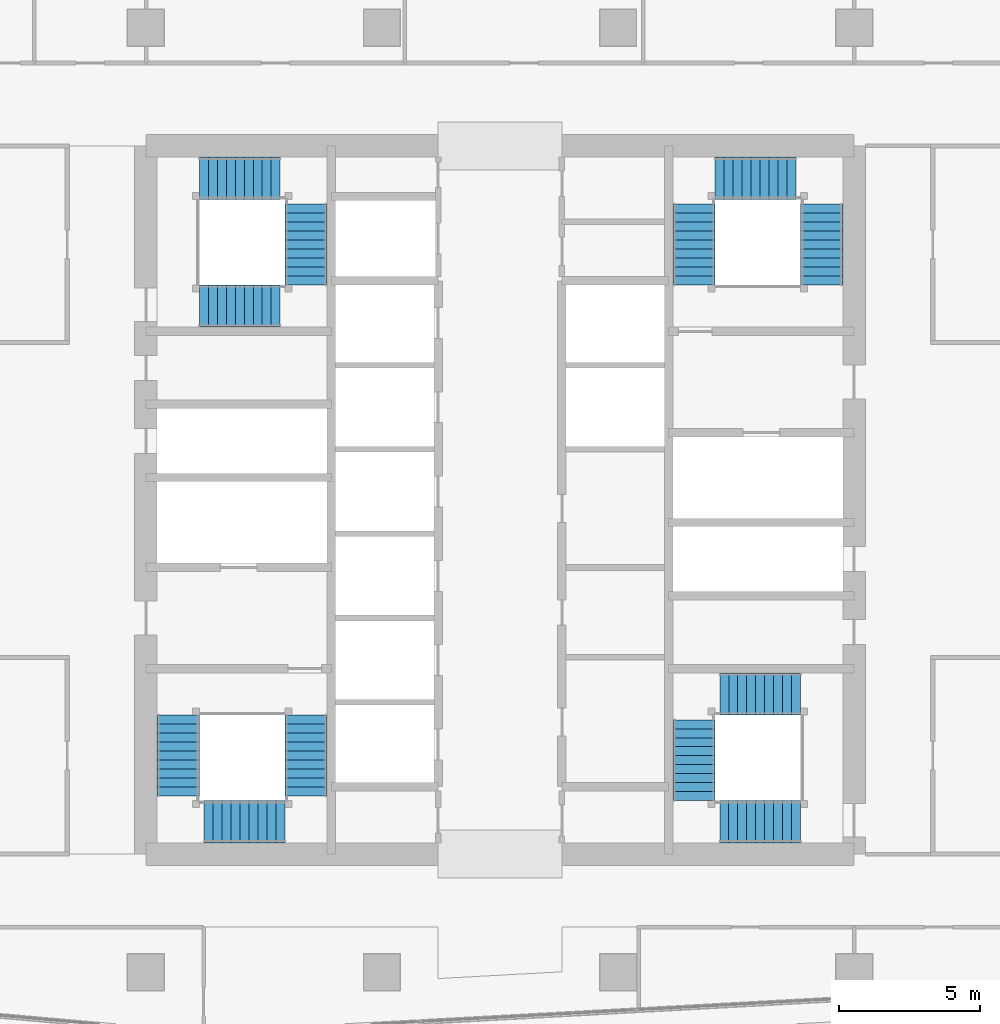
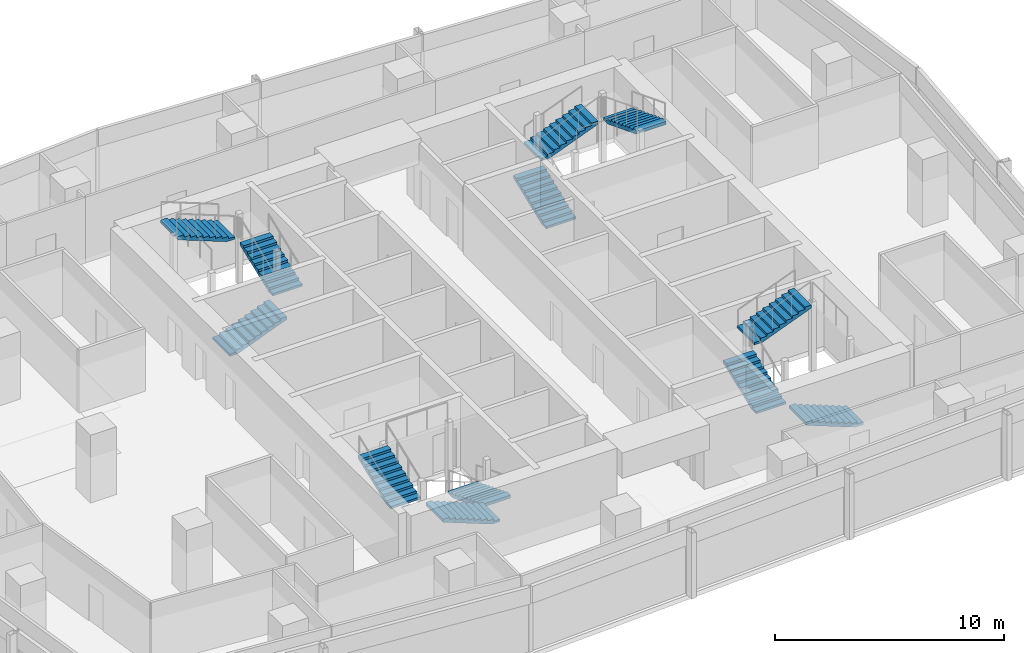
# One storey, part 25 of 29: 12 stair flights, 4 elements without a shape of their own.
"""IFC4 building model written with IfcOpenShell, lengths in metres."""

import ifcopenshell
import ifcopenshell.guid

model = None  # the IFC model being written
_history = None  # IfcOwnerHistory: only IFC2X3 demands one
_inside = {}  # id of a spatial element -> (the spatial element, [elements in it])
_under = {}  # id of a project, library or spatial element -> (it, [spatial elements below it])
_declared = {}  # id of a project -> (the project, [libraries it declares])
_typed = {}  # id of a type object -> (the type object, [elements of that type])
_made_of = {}  # id of a material, layer set ... -> (it, [elements and type objects made of it])


def new_model(schema):
    """Start an empty IFC model of exactly this schema.

    Asked for "IFC4X3", IfcOpenShell would pick the latest addendum, in which some entities
    have other attributes; the version numbers below select the first issue.
    IFC2X3 requires an IfcOwnerHistory on every rooted entity: one is made here for all.
    """
    global model, _history
    if schema == "IFC4X3":
        model = ifcopenshell.file(schema_version=(4, 3, 0, 0))
    else:
        model = ifcopenshell.file(schema=schema)
    _inside.clear()
    _under.clear()
    _declared.clear()
    _typed.clear()
    _made_of.clear()
    _history = None
    if model.schema == "IFC2X3":
        org = make("IfcOrganization", Name="unknown")
        user = make(
            "IfcPersonAndOrganization",
            ThePerson=make("IfcPerson", FamilyName="unknown"),
            TheOrganization=org,
        )
        app = make(
            "IfcApplication",
            ApplicationDeveloper=org,
            Version="unknown",
            ApplicationFullName="unknown",
            ApplicationIdentifier="unknown",
        )
        _history = make(
            "IfcOwnerHistory",
            OwningUser=user,
            OwningApplication=app,
            ChangeAction="ADDED",
            CreationDate=0,
        )
    return model


def make(cls, **values):
    """One entity of the class cls with the attributes given. An attribute that is None is left unset."""
    return model.create_entity(
        cls, **{name: value for name, value in values.items() if value is not None}
    )


def rooted(cls, **values):
    """An entity with a GlobalId (a new one), such as an element, a storey or a relation."""
    return make(cls, GlobalId=ifcopenshell.guid.new(), OwnerHistory=_history, **values)


def si_unit(unit_type, name, prefix=None):
    """IfcSIUnit, for example si_unit("LENGTHUNIT", "METRE", prefix="MILLI")."""
    return make("IfcSIUnit", UnitType=unit_type, Prefix=prefix, Name=name)


def assignment(units):
    """IfcUnitAssignment: the units of a project."""
    return None if units is None else make("IfcUnitAssignment", Units=units)


def point(xyz):
    """IfcCartesianPoint."""
    return None if xyz is None else make("IfcCartesianPoint", Coordinates=xyz)


def direction(xyz):
    """IfcDirection."""
    return None if xyz is None else make("IfcDirection", DirectionRatios=xyz)


def frame(location, z_axis=None, x_axis=None):
    """IfcAxis2Placement3D, a coordinate frame: its origin and axes. An axis left out is left unset."""
    return make(
        "IfcAxis2Placement3D",
        Location=point(location),
        Axis=direction(z_axis),
        RefDirection=direction(x_axis),
    )


def origin():
    """The frame at (0, 0, 0) with its axes left unset."""
    return frame((0.0, 0.0, 0.0))


def place(relative_to, where):
    """IfcLocalPlacement: puts the frame where relative to a parent placement (None: the world)."""
    return make(
        "IfcLocalPlacement", PlacementRelTo=relative_to, RelativePlacement=where
    )


def context(
    kind, dimensions, precision=None, world=None, true_north=None, identifier=None
):
    """IfcGeometricRepresentationContext, for example the 3D "Model" context."""
    return make(
        "IfcGeometricRepresentationContext",
        ContextIdentifier=identifier,
        ContextType=kind,
        CoordinateSpaceDimension=dimensions,
        Precision=precision,
        WorldCoordinateSystem=world,
        TrueNorth=true_north,
    )


def subcontext(parent, identifier, kind, view, scale=None):
    """IfcGeometricRepresentationSubContext, for example "Body" below "Model"."""
    return make(
        "IfcGeometricRepresentationSubContext",
        ContextIdentifier=identifier,
        ContextType=kind,
        ParentContext=parent,
        TargetScale=scale,
        TargetView=view,
    )


def project(units=None, contexts=None):
    """IfcProject with its units and contexts."""
    return rooted(
        "IfcProject",
        Name="project",
        RepresentationContexts=contexts,
        UnitsInContext=assignment(units),
    )


def spatial(cls, under=None, at=None, **own):
    """A site, building, storey or space (cls), placed at a placement, below another one or the project."""
    s = rooted(cls, ObjectPlacement=at, **own)
    if under is not None:
        _under.setdefault(under.id(), (under, []))[1].append(s)
    return s


def polyline(points):
    """IfcPolyline through the points."""
    return make("IfcPolyline", Points=[point(p) for p in points])


def outline(outer, holes=None, kind="AREA"):
    """IfcArbitraryClosedProfileDef: a profile drawn as a closed curve; with holes, ...WithVoids."""
    if holes is None:
        return make("IfcArbitraryClosedProfileDef", ProfileType=kind, OuterCurve=outer)
    return make(
        "IfcArbitraryProfileDefWithVoids",
        ProfileType=kind,
        OuterCurve=outer,
        InnerCurves=holes,
    )


def extrude(swept, where, along, depth):
    """IfcExtrudedAreaSolid: the profile swept, set in the frame where, extruded along a direction by depth."""
    return make(
        "IfcExtrudedAreaSolid",
        SweptArea=swept,
        Position=where,
        ExtrudedDirection=direction(along),
        Depth=depth,
    )


def shape(context_of_items, identifier, shape_type, items):
    """IfcShapeRepresentation: the items that make up one representation, for example the "Body"."""
    return make(
        "IfcShapeRepresentation",
        ContextOfItems=context_of_items,
        RepresentationIdentifier=identifier,
        RepresentationType=shape_type,
        Items=items,
    )


def material(Name=None, Category=None):
    """IfcMaterial."""
    return make("IfcMaterial", Name=Name, Category=Category)


def made_of(thing, what):
    """Note that an element or type object is made of a material, layer set ...; save() writes the relation."""
    if what is not None:
        _made_of.setdefault(what.id(), (what, []))[1].append(thing)
    return thing


def type_object(cls, material=None, **own):
    """A type object (cls), such as IfcWallType, which elements share."""
    return made_of(rooted(cls, **own), material)


def element(
    cls,
    number,
    at=None,
    inside=None,
    cuts=None,
    type_object=None,
    material=None,
    context=None,
    identifier="Body",
    shape_type=None,
    held_by="IfcProductDefinitionShape",
    body=None,
    shapes=None,
    **own,
):
    """One element of the class cls, such as IfcWall. Its Tag is "e" and its number.

    at: its placement. inside: the storey or other place that contains it. cuts: it is an
    opening in that element (IfcRelVoidsElement). A single representation is given by context,
    identifier, shape_type and body (its items); several are given by shapes. held_by: the class
    of the entity that holds the representations. save() writes the other relations.
    """
    e = rooted(cls, Tag="e%d" % number, ObjectPlacement=at, **own)
    if body is not None:
        shapes = [shape(context, identifier, shape_type, body)]
    if shapes is not None:
        e.Representation = make(held_by, Representations=shapes)
    if inside is not None:
        _inside.setdefault(inside.id(), (inside, []))[1].append(e)
    if cuts is not None:
        rooted(
            "IfcRelVoidsElement", RelatingBuildingElement=cuts, RelatedOpeningElement=e
        )
    if type_object is not None:
        _typed.setdefault(type_object.id(), (type_object, []))[1].append(e)
    return made_of(e, material)


def aggregate(whole, parts):
    """IfcRelAggregates: a whole, such as a stair, and the parts it consists of."""
    return rooted("IfcRelAggregates", RelatingObject=whole, RelatedObjects=parts)


def save(model, path):
    """Write the relations noted so far, then the file.

    IfcRelAggregates (storeys below a building ...), IfcRelContainedInSpatialStructure (elements
    in a storey), IfcRelDefinesByType, IfcRelAssociatesMaterial and IfcRelDeclares: one each for
    every whole, place, type object, material and project.
    """
    for whole, parts in _under.values():
        aggregate(whole, parts)
    for where, things in _inside.values():
        rooted(
            "IfcRelContainedInSpatialStructure",
            RelatedElements=things,
            RelatingStructure=where,
        )
    for kind, things in _typed.values():
        rooted("IfcRelDefinesByType", RelatedObjects=things, RelatingType=kind)
    for what, things in _made_of.values():
        rooted("IfcRelAssociatesMaterial", RelatedObjects=things, RelatingMaterial=what)
    for by, libraries in _declared.values():
        rooted("IfcRelDeclares", RelatingContext=by, RelatedDefinitions=libraries)
    model.write(path)


model = new_model("IFC4")

# Units and contexts
model_context = context("Model", 3, precision=1e-05, world=origin(), true_north=direction((0.0, 1.0)))
body_context = subcontext(model_context, "Body", "Model", "MODEL_VIEW")
ifc_project = project(units=[si_unit("LENGTHUNIT", "METRE"), si_unit("AREAUNIT", "SQUARE_METRE"), si_unit("VOLUMEUNIT", "CUBIC_METRE"), si_unit("PLANEANGLEUNIT", "RADIAN"), si_unit("MASSUNIT", "GRAM", prefix="KILO")], contexts=[model_context])

# Site, building, storey
site_placement = place(None, origin())
site = spatial("IfcSite", under=ifc_project, at=site_placement, CompositionType="ELEMENT")
building_placement = place(site_placement, origin())
building = spatial("IfcBuilding", under=site, at=building_placement, Name="Rekha Terrace Tower", CompositionType="ELEMENT")
storey_placement = place(building_placement, frame((0.0, 0.0, 261.35009765625)))
storey = spatial("IfcBuildingStorey", under=building, at=storey_placement, Name="L66", CompositionType="ELEMENT", Elevation=261.35009765625)

# Stair, stair flights
ifc_material = material(Name="Concrete M40", Category="concrete")
stair_type = type_object("IfcStairType", Name="ST30 stair, 30 risers of 125, going 320, 1500 wide flights, 3 flights", PredefinedType="HALF_TURN_STAIR", material=ifc_material)
stair_1_placement = place(storey_placement, origin())
stair_1 = element("IfcStair", 1, at=stair_1_placement, inside=storey, type_object=stair_type, Name="Stair ST1 L66 to L67", PredefinedType="HALF_TURN_STAIR")
stair_flight_type = type_object("IfcStairFlightType", Name="SF10 stair flight, 10 risers of 125, going 320, 1500 wide", PredefinedType="STRAIGHT", material=ifc_material)
stair_flight_1_placement = place(storey_placement, frame((30.89990234375, 25.949951171875, 0.0), z_axis=(0.0, 0.0, 1.0), x_axis=(0.0, -1.0, 0.0)))
stair_flight_1 = element("IfcStairFlight", 2, at=stair_flight_1_placement, type_object=stair_flight_type, Name="ST1 flight 1", NumberOfRisers=10, NumberOfTreads=9, PredefinedType="STRAIGHT", RiserHeight=0.125, TreadLength=0.32, context=body_context, shape_type="SweptSolid", body=[
    extrude(outline(polyline([(0.0, 0.0), (0.0, 0.125), (0.320068359375, 0.125), (0.320068359375, 0.25), (0.639892578125, 0.25), (0.639892578125, 0.375), (0.9599609375, 0.375), (0.9599609375, 0.5), (1.280029296875, 0.5), (1.280029296875, 0.625), (1.60009765625, 0.625), (1.60009765625, 0.75), (1.919921875, 0.75), (1.919921875, 0.875), (2.239990234375, 0.875), (2.239990234375, 1.0), (2.56005859375, 1.0), (2.56005859375, 1.125), (2.8798828125, 1.125), (2.8798828125, 1.25), (2.8798828125, 0.964111328125), (0.412109375, 0.0), (0.0, 0.0)])), frame((0.0, 0.75, 0.0), z_axis=(0.0, -1.0, 0.0), x_axis=(1.0, 0.0, 0.0)), (0.0, 0.0, 1.0), 1.5),
])
stair_flight_2_placement = place(storey_placement, frame((30.14990234375, 22.14990234375, 1.25), z_axis=(0.0, 0.0, 1.0), x_axis=(-1.0, 0.0, 0.0)))
stair_flight_2 = element("IfcStairFlight", 3, at=stair_flight_2_placement, type_object=stair_flight_type, Name="ST1 flight 2", NumberOfRisers=10, NumberOfTreads=9, PredefinedType="STRAIGHT", RiserHeight=0.125, TreadLength=0.32, context=body_context, shape_type="SweptSolid", body=[
    extrude(outline(polyline([(0.0, 0.0), (0.0, 0.125), (0.320068359375, 0.125), (0.320068359375, 0.25), (0.639892578125, 0.25), (0.639892578125, 0.375), (0.9599609375, 0.375), (0.9599609375, 0.5), (1.280029296875, 0.5), (1.280029296875, 0.625), (1.60009765625, 0.625), (1.60009765625, 0.75), (1.919921875, 0.75), (1.919921875, 0.875), (2.239990234375, 0.875), (2.239990234375, 1.0), (2.56005859375, 1.0), (2.56005859375, 1.125), (2.8798828125, 1.125), (2.8798828125, 1.25), (2.8798828125, 0.964111328125), (0.412109375, 0.0), (0.0, 0.0)])), frame((0.0, 0.75, 0.0), z_axis=(0.0, -1.0, 0.0), x_axis=(1.0, 0.0, 0.0)), (0.0, 0.0, 1.0), 1.5),
])
stair_flight_3_placement = place(storey_placement, frame((26.35009765625, 23.070068359375, 2.5), z_axis=(0.0, 0.0, 1.0), x_axis=(0.0, 1.0, 0.0)))
stair_flight_3 = element("IfcStairFlight", 4, at=stair_flight_3_placement, type_object=stair_flight_type, Name="ST1 flight 3", NumberOfRisers=10, NumberOfTreads=9, PredefinedType="STRAIGHT", RiserHeight=0.125, TreadLength=0.32, context=body_context, shape_type="SweptSolid", body=[
    extrude(outline(polyline([(0.0, 0.0), (0.0, 0.125), (0.320068359375, 0.125), (0.320068359375, 0.25), (0.639892578125, 0.25), (0.639892578125, 0.375), (0.9599609375, 0.375), (0.9599609375, 0.5), (1.280029296875, 0.5), (1.280029296875, 0.625), (1.60009765625, 0.625), (1.60009765625, 0.75), (1.919921875, 0.75), (1.919921875, 0.875), (2.239990234375, 0.875), (2.239990234375, 1.0), (2.56005859375, 1.0), (2.56005859375, 1.125), (2.8798828125, 1.125), (2.8798828125, 1.25), (2.8798828125, 0.964111328125), (0.412109375, 0.0), (0.0, 0.0)])), frame((0.0, 0.75, 0.0), z_axis=(0.0, -1.0, 0.0), x_axis=(1.0, 0.0, 0.0)), (0.0, 0.0, 1.0), 1.5),
])
aggregate(stair_1, [stair_flight_1, stair_flight_2, stair_flight_3])

stair_2_placement = place(storey_placement, origin())
stair_2 = element("IfcStair", 5, at=stair_2_placement, inside=storey, type_object=stair_type, Name="Stair ST2 L66 to L67", PredefinedType="HALF_TURN_STAIR")
stair_flight_4_placement = place(storey_placement, frame((44.699951171875, 41.25, 0.0), z_axis=(0.0, 0.0, 1.0), x_axis=(0.0, 1.0, 0.0)))
stair_flight_4 = element("IfcStairFlight", 6, at=stair_flight_4_placement, type_object=stair_flight_type, Name="ST2 flight 1", NumberOfRisers=10, NumberOfTreads=9, PredefinedType="STRAIGHT", RiserHeight=0.125, TreadLength=0.32, context=body_context, shape_type="SweptSolid", body=[
    extrude(outline(polyline([(0.0, 0.0), (0.0, 0.125), (0.320068359375, 0.125), (0.320068359375, 0.25), (0.639892578125, 0.25), (0.639892578125, 0.375), (0.9599609375, 0.375), (0.9599609375, 0.5), (1.280029296875, 0.5), (1.280029296875, 0.625), (1.60009765625, 0.625), (1.60009765625, 0.75), (1.919921875, 0.75), (1.919921875, 0.875), (2.239990234375, 0.875), (2.239990234375, 1.0), (2.56005859375, 1.0), (2.56005859375, 1.125), (2.8798828125, 1.125), (2.8798828125, 1.25), (2.8798828125, 0.964111328125), (0.412109375, 0.0), (0.0, 0.0)])), frame((0.0, 0.75, 0.0), z_axis=(0.0, -1.0, 0.0), x_axis=(1.0, 0.0, 0.0)), (0.0, 0.0, 1.0), 1.5),
])
stair_flight_5_placement = place(storey_placement, frame((45.449951171875, 45.050048828125, 1.25), z_axis=(0.0, 0.0, 1.0), x_axis=(1.0, 0.0, 0.0)))
stair_flight_5 = element("IfcStairFlight", 7, at=stair_flight_5_placement, type_object=stair_flight_type, Name="ST2 flight 2", NumberOfRisers=10, NumberOfTreads=9, PredefinedType="STRAIGHT", RiserHeight=0.125, TreadLength=0.32, context=body_context, shape_type="SweptSolid", body=[
    extrude(outline(polyline([(0.0, 0.0), (0.0, 0.125), (0.320068359375, 0.125), (0.320068359375, 0.25), (0.639892578125, 0.25), (0.639892578125, 0.375), (0.9599609375, 0.375), (0.9599609375, 0.5), (1.280029296875, 0.5), (1.280029296875, 0.625), (1.60009765625, 0.625), (1.60009765625, 0.75), (1.919921875, 0.75), (1.919921875, 0.875), (2.239990234375, 0.875), (2.239990234375, 1.0), (2.56005859375, 1.0), (2.56005859375, 1.125), (2.8798828125, 1.125), (2.8798828125, 1.25), (2.8798828125, 0.964111328125), (0.412109375, 0.0), (0.0, 0.0)])), frame((0.0, 0.75, 0.0), z_axis=(0.0, -1.0, 0.0), x_axis=(1.0, 0.0, 0.0)), (0.0, 0.0, 1.0), 1.5),
])
stair_flight_6_placement = place(storey_placement, frame((49.25, 44.1298828125, 2.5), z_axis=(0.0, 0.0, 1.0), x_axis=(0.0, -1.0, 0.0)))
stair_flight_6 = element("IfcStairFlight", 8, at=stair_flight_6_placement, type_object=stair_flight_type, Name="ST2 flight 3", NumberOfRisers=10, NumberOfTreads=9, PredefinedType="STRAIGHT", RiserHeight=0.125, TreadLength=0.32, context=body_context, shape_type="SweptSolid", body=[
    extrude(outline(polyline([(0.0, 0.0), (0.0, 0.125), (0.320068359375, 0.125), (0.320068359375, 0.25), (0.639892578125, 0.25), (0.639892578125, 0.375), (0.9599609375, 0.375), (0.9599609375, 0.5), (1.280029296875, 0.5), (1.280029296875, 0.625), (1.60009765625, 0.625), (1.60009765625, 0.75), (1.919921875, 0.75), (1.919921875, 0.875), (2.239990234375, 0.875), (2.239990234375, 1.0), (2.56005859375, 1.0), (2.56005859375, 1.125), (2.8798828125, 1.125), (2.8798828125, 1.25), (2.8798828125, 0.964111328125), (0.412109375, 0.0), (0.0, 0.0)])), frame((0.0, 0.75, 0.0), z_axis=(0.0, -1.0, 0.0), x_axis=(1.0, 0.0, 0.0)), (0.0, 0.0, 1.0), 1.5),
])
aggregate(stair_2, [stair_flight_4, stair_flight_5, stair_flight_6])

stair_3_placement = place(storey_placement, origin())
stair_3 = element("IfcStair", 9, at=stair_3_placement, inside=storey, type_object=stair_type, Name="Stair ST3 L66 to L67", PredefinedType="HALF_TURN_STAIR")
stair_flight_7_placement = place(storey_placement, frame((48.5, 22.14990234375, 0.0), z_axis=(0.0, 0.0, 1.0), x_axis=(-1.0, 0.0, 0.0)))
stair_flight_7 = element("IfcStairFlight", 10, at=stair_flight_7_placement, type_object=stair_flight_type, Name="ST3 flight 1", NumberOfRisers=10, NumberOfTreads=9, PredefinedType="STRAIGHT", RiserHeight=0.125, TreadLength=0.32, context=body_context, shape_type="SweptSolid", body=[
    extrude(outline(polyline([(0.0, 0.0), (0.0, 0.125), (0.320068359375, 0.125), (0.320068359375, 0.25), (0.639892578125, 0.25), (0.639892578125, 0.375), (0.9599609375, 0.375), (0.9599609375, 0.5), (1.280029296875, 0.5), (1.280029296875, 0.625), (1.60009765625, 0.625), (1.60009765625, 0.75), (1.919921875, 0.75), (1.919921875, 0.875), (2.239990234375, 0.875), (2.239990234375, 1.0), (2.56005859375, 1.0), (2.56005859375, 1.125), (2.8798828125, 1.125), (2.8798828125, 1.25), (2.8798828125, 0.964111328125), (0.412109375, 0.0), (0.0, 0.0)])), frame((0.0, 0.75, 0.0), z_axis=(0.0, -1.0, 0.0), x_axis=(1.0, 0.0, 0.0)), (0.0, 0.0, 1.0), 1.5),
])
stair_flight_8_placement = place(storey_placement, frame((44.699951171875, 22.89990234375, 1.25), z_axis=(0.0, 0.0, 1.0), x_axis=(0.0, 1.0, 0.0)))
stair_flight_8 = element("IfcStairFlight", 11, at=stair_flight_8_placement, type_object=stair_flight_type, Name="ST3 flight 2", NumberOfRisers=10, NumberOfTreads=9, PredefinedType="STRAIGHT", RiserHeight=0.125, TreadLength=0.32, context=body_context, shape_type="SweptSolid", body=[
    extrude(outline(polyline([(0.0, 0.0), (0.0, 0.125), (0.320068359375, 0.125), (0.320068359375, 0.25), (0.639892578125, 0.25), (0.639892578125, 0.375), (0.9599609375, 0.375), (0.9599609375, 0.5), (1.280029296875, 0.5), (1.280029296875, 0.625), (1.60009765625, 0.625), (1.60009765625, 0.75), (1.919921875, 0.75), (1.919921875, 0.875), (2.239990234375, 0.875), (2.239990234375, 1.0), (2.56005859375, 1.0), (2.56005859375, 1.125), (2.8798828125, 1.125), (2.8798828125, 1.25), (2.8798828125, 0.964111328125), (0.412109375, 0.0), (0.0, 0.0)])), frame((0.0, 0.75, 0.0), z_axis=(0.0, -1.0, 0.0), x_axis=(1.0, 0.0, 0.0)), (0.0, 0.0, 1.0), 1.5),
])
stair_flight_9_placement = place(storey_placement, frame((45.6201171875, 26.699951171875, 2.5), z_axis=(0.0, 0.0, 1.0), x_axis=(1.0, 0.0, 0.0)))
stair_flight_9 = element("IfcStairFlight", 12, at=stair_flight_9_placement, type_object=stair_flight_type, Name="ST3 flight 3", NumberOfRisers=10, NumberOfTreads=9, PredefinedType="STRAIGHT", RiserHeight=0.125, TreadLength=0.32, context=body_context, shape_type="SweptSolid", body=[
    extrude(outline(polyline([(0.0, 0.0), (0.0, 0.125), (0.320068359375, 0.125), (0.320068359375, 0.25), (0.639892578125, 0.25), (0.639892578125, 0.375), (0.9599609375, 0.375), (0.9599609375, 0.5), (1.280029296875, 0.5), (1.280029296875, 0.625), (1.60009765625, 0.625), (1.60009765625, 0.75), (1.919921875, 0.75), (1.919921875, 0.875), (2.239990234375, 0.875), (2.239990234375, 1.0), (2.56005859375, 1.0), (2.56005859375, 1.125), (2.8798828125, 1.125), (2.8798828125, 1.25), (2.8798828125, 0.964111328125), (0.412109375, 0.0), (0.0, 0.0)])), frame((0.0, 0.75, 0.0), z_axis=(0.0, -1.0, 0.0), x_axis=(1.0, 0.0, 0.0)), (0.0, 0.0, 1.0), 1.5),
])
aggregate(stair_3, [stair_flight_7, stair_flight_8, stair_flight_9])

stair_4_placement = place(storey_placement, origin())
stair_4 = element("IfcStair", 13, at=stair_4_placement, inside=storey, type_object=stair_type, Name="Stair ST4 L66 to L67", PredefinedType="HALF_TURN_STAIR")
stair_flight_10_placement = place(storey_placement, frame((27.10009765625, 40.5, 0.0), z_axis=(0.0, 0.0, 1.0), x_axis=(1.0, 0.0, 0.0)))
stair_flight_10 = element("IfcStairFlight", 14, at=stair_flight_10_placement, type_object=stair_flight_type, Name="ST4 flight 1", NumberOfRisers=10, NumberOfTreads=9, PredefinedType="STRAIGHT", RiserHeight=0.125, TreadLength=0.32, context=body_context, shape_type="SweptSolid", body=[
    extrude(outline(polyline([(0.0, 0.0), (0.0, 0.125), (0.320068359375, 0.125), (0.320068359375, 0.25), (0.639892578125, 0.25), (0.639892578125, 0.375), (0.9599609375, 0.375), (0.9599609375, 0.5), (1.280029296875, 0.5), (1.280029296875, 0.625), (1.60009765625, 0.625), (1.60009765625, 0.75), (1.919921875, 0.75), (1.919921875, 0.875), (2.239990234375, 0.875), (2.239990234375, 1.0), (2.56005859375, 1.0), (2.56005859375, 1.125), (2.8798828125, 1.125), (2.8798828125, 1.25), (2.8798828125, 0.964111328125), (0.412109375, 0.0), (0.0, 0.0)])), frame((0.0, 0.75, 0.0), z_axis=(0.0, -1.0, 0.0), x_axis=(1.0, 0.0, 0.0)), (0.0, 0.0, 1.0), 1.5),
])
stair_flight_11_placement = place(storey_placement, frame((30.89990234375, 41.25, 1.25), z_axis=(0.0, 0.0, 1.0), x_axis=(0.0, 1.0, 0.0)))
stair_flight_11 = element("IfcStairFlight", 15, at=stair_flight_11_placement, type_object=stair_flight_type, Name="ST4 flight 2", NumberOfRisers=10, NumberOfTreads=9, PredefinedType="STRAIGHT", RiserHeight=0.125, TreadLength=0.32, context=body_context, shape_type="SweptSolid", body=[
    extrude(outline(polyline([(0.0, 0.0), (0.0, 0.125), (0.320068359375, 0.125), (0.320068359375, 0.25), (0.639892578125, 0.25), (0.639892578125, 0.375), (0.9599609375, 0.375), (0.9599609375, 0.5), (1.280029296875, 0.5), (1.280029296875, 0.625), (1.60009765625, 0.625), (1.60009765625, 0.75), (1.919921875, 0.75), (1.919921875, 0.875), (2.239990234375, 0.875), (2.239990234375, 1.0), (2.56005859375, 1.0), (2.56005859375, 1.125), (2.8798828125, 1.125), (2.8798828125, 1.25), (2.8798828125, 0.964111328125), (0.412109375, 0.0), (0.0, 0.0)])), frame((0.0, 0.75, 0.0), z_axis=(0.0, -1.0, 0.0), x_axis=(1.0, 0.0, 0.0)), (0.0, 0.0, 1.0), 1.5),
])
stair_flight_12_placement = place(storey_placement, frame((29.97998046875, 45.050048828125, 2.5), z_axis=(0.0, 0.0, 1.0), x_axis=(-1.0, 0.0, 0.0)))
stair_flight_12 = element("IfcStairFlight", 16, at=stair_flight_12_placement, type_object=stair_flight_type, Name="ST4 flight 3", NumberOfRisers=10, NumberOfTreads=9, PredefinedType="STRAIGHT", RiserHeight=0.125, TreadLength=0.32, context=body_context, shape_type="SweptSolid", body=[
    extrude(outline(polyline([(0.0, 0.0), (0.0, 0.125), (0.320068359375, 0.125), (0.320068359375, 0.25), (0.639892578125, 0.25), (0.639892578125, 0.375), (0.9599609375, 0.375), (0.9599609375, 0.5), (1.280029296875, 0.5), (1.280029296875, 0.625), (1.60009765625, 0.625), (1.60009765625, 0.75), (1.919921875, 0.75), (1.919921875, 0.875), (2.239990234375, 0.875), (2.239990234375, 1.0), (2.56005859375, 1.0), (2.56005859375, 1.125), (2.8798828125, 1.125), (2.8798828125, 1.25), (2.8798828125, 0.964111328125), (0.412109375, 0.0), (0.0, 0.0)])), frame((0.0, 0.75, 0.0), z_axis=(0.0, -1.0, 0.0), x_axis=(1.0, 0.0, 0.0)), (0.0, 0.0, 1.0), 1.5),
])
aggregate(stair_4, [stair_flight_10, stair_flight_11, stair_flight_12])

save(model, "model.ifc")
